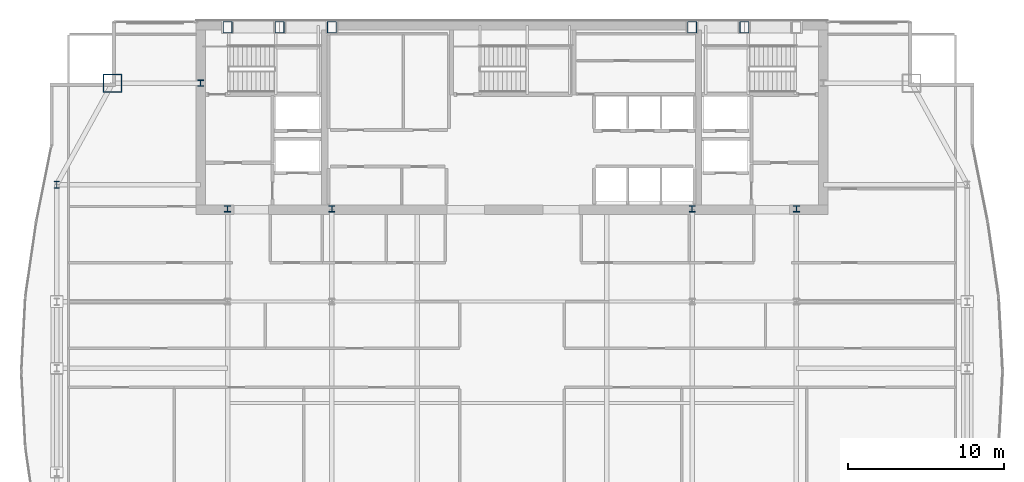
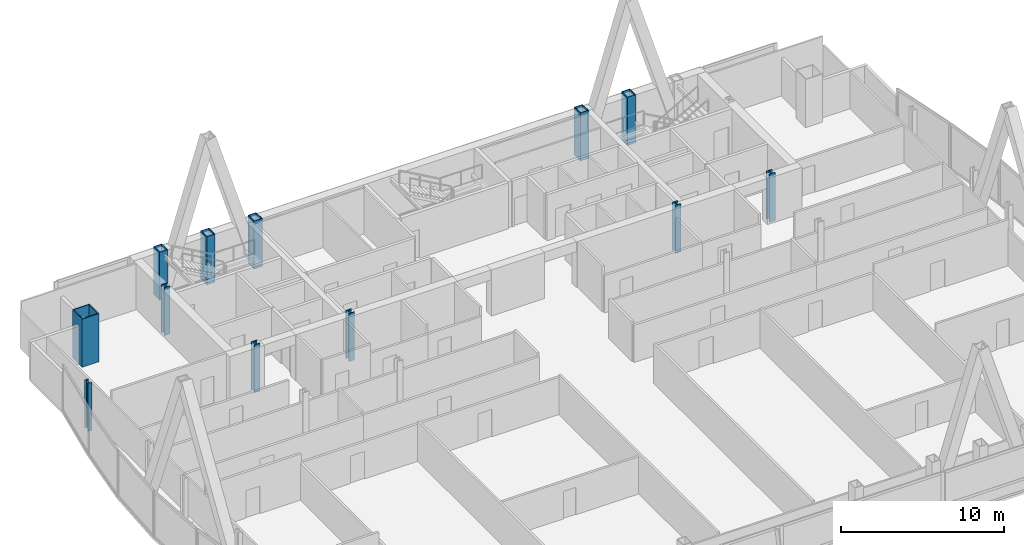
# One storey, part 3 of 32: 12 columns.
"""IFC4 building model written with IfcOpenShell, lengths in metres."""

from ifc_helpers import new_model, si_unit, direction, frame, origin, origin_2d, place, context, subcontext, project, spatial, hollow_rectangle, i_section, extrude, material, material_profile, profile_set, type_object, element, save


model = new_model("IFC4")

# Units and contexts
model_context = context("Model", 3, precision=1e-05, world=origin(), true_north=direction((0.0, 1.0)))
body_context = subcontext(model_context, "Body", "Model", "MODEL_VIEW")
ifc_project = project(units=[si_unit("LENGTHUNIT", "METRE"), si_unit("AREAUNIT", "SQUARE_METRE"), si_unit("VOLUMEUNIT", "CUBIC_METRE"), si_unit("PLANEANGLEUNIT", "RADIAN"), si_unit("MASSUNIT", "GRAM", prefix="KILO")], contexts=[model_context])

# Site, building, storey
site_placement = place(None, origin())
site = spatial("IfcSite", under=ifc_project, at=site_placement, CompositionType="ELEMENT")
building_placement = place(site_placement, origin())
building = spatial("IfcBuilding", under=site, at=building_placement, Name="Khoronbel Lancet Exchange", CompositionType="ELEMENT")
storey_placement = place(building_placement, frame((0.0, 0.0, 221.0)))
storey = spatial("IfcBuildingStorey", under=building, at=storey_placement, Name="L56", CompositionType="ELEMENT", Elevation=221.0)

# Columns
ifc_material_1 = material(Name="Steel S460", Category="steel")
ifc_material_profile_1 = material_profile(ifc_material_1, hollow_rectangle(XDim=0.60009765625, YDim=0.75, WallThickness=0.044921875, at=origin_2d()), Name="BOX 750x600x45")
ifc_profile_set_1 = profile_set([ifc_material_profile_1], Name="Steel S460")
column_type_1 = type_object("IfcColumnType", Name="COL-EC3", PredefinedType="COLUMN", material=ifc_profile_set_1)
for number, where, z_axis, x_axis, name in (
    (1, (18.22509765625, 53.280029296875, 0.0), (0.0, 0.0, 1.0), (1.0, 0.0, 0.0), "Structural column NC-W1 L56"),
    (2, (21.5625, 53.280029296875, 0.0), (0.0, 0.0, 1.0), (1.0, 0.0, 0.0), "Structural column NC-WM L56"),
    (3, (24.89990234375, 53.280029296875, 0.0), (0.0, 0.0, 1.0), (1.0, 0.0, 0.0), "Structural column NC-W2 L56"),
    (4, (48.0, 53.280029296875, 0.0), (0.0, 0.0, 1.0), (1.0, 0.0, 0.0), "Structural column NC-E1 L56"),
    (5, (51.33740234375, 53.280029296875, 0.0), (0.0, 0.0, 1.0), (1.0, 0.0, 0.0), "Structural column NC-EM L56"),
):
    element("IfcColumn", number, at=place(storey_placement, frame(where, z_axis=z_axis, x_axis=x_axis)), inside=storey, type_object=column_type_1, Name=name, PredefinedType="COLUMN", context=body_context, shape_type="SweptSolid", body=[
        extrude(hollow_rectangle(XDim=0.60009765625, YDim=0.75, WallThickness=0.044921875, at=origin_2d()), origin(), (0.0, 0.0, 1.0), 3.60009765625),
    ])
ifc_material_2 = material(Name="Steel S355", Category="steel")
ifc_material_profile_2 = material_profile(ifc_material_2, i_section(OverallWidth=0.406005859375, OverallDepth=0.416015625, WebThickness=0.02978515625, FlangeThickness=0.048095703125, at=origin_2d()), Name="HD 400x382")
ifc_profile_set_2 = profile_set([ifc_material_profile_2], Name="Steel S355")
column_type_2 = type_object("IfcColumnType", Name="COL-IC3", PredefinedType="COLUMN", material=ifc_profile_set_2)
for number, where, z_axis, x_axis, name in (
    (6, (16.5, 49.699951171875, 0.0), (0.0, 0.0, 1.0), (1.0, 0.0, 0.0), "Core-flank plumb transfer column CFW L56"),
    (7, (18.22509765625, 41.64990234375, 0.0), (0.0, 0.0, 1.0), (1.0, 0.0, 0.0), "Core-embedded steel column CTC1 L56"),
    (8, (24.89990234375, 41.64990234375, 0.0), (0.0, 0.0, 1.0), (1.0, 0.0, 0.0), "Core-embedded steel column CTC2 L56"),
    (9, (48.0, 41.64990234375, 0.0), (0.0, 0.0, 1.0), (1.0, 0.0, 0.0), "Core-embedded steel column CTC3 L56"),
    (10, (54.675048828125, 41.64990234375, 0.0), (0.0, 0.0, 1.0), (1.0, 0.0, 0.0), "Core-embedded steel column CTC4 L56"),
):
    element("IfcColumn", number, at=place(storey_placement, frame(where, z_axis=z_axis, x_axis=x_axis)), inside=storey, type_object=column_type_2, Name=name, PredefinedType="COLUMN", context=body_context, shape_type="SweptSolid", body=[
        extrude(i_section(OverallWidth=0.406005859375, OverallDepth=0.416015625, WebThickness=0.02978515625, FlangeThickness=0.048095703125, at=origin_2d()), origin(), (0.0, 0.0, 1.0), 3.60009765625),
    ])
ifc_material_profile_3 = material_profile(ifc_material_2, i_section(OverallWidth=0.300048828125, OverallDepth=0.449951171875, WebThickness=0.013916015625, FlangeThickness=0.02587890625, at=origin_2d()), Name="HEB 450")
ifc_profile_set_3 = profile_set([ifc_material_profile_3], Name="Steel S355")
column_type_3 = type_object("IfcColumnType", Name="COL-LC2", PredefinedType="COLUMN", material=ifc_profile_set_3)
column_1_placement = place(storey_placement, frame((7.27001953125, 43.199951171875, 0.0), z_axis=(0.0, 0.0, 1.0), x_axis=(1.0, 0.0, 0.0)))
element("IfcColumn", 11, at=column_1_placement, inside=storey, type_object=column_type_3, Name="Structural column WC-4 L56", PredefinedType="COLUMN", context=body_context, shape_type="SweptSolid", body=[
    extrude(i_section(OverallWidth=0.300048828125, OverallDepth=0.449951171875, WebThickness=0.013916015625, FlangeThickness=0.02587890625, at=origin_2d()), origin(), (0.0, 0.0, 1.0), 3.60009765625),
])
ifc_material_profile_4 = material_profile(ifc_material_1, hollow_rectangle(XDim=1.199951171875, YDim=1.199951171875, WallThickness=0.06005859375, at=origin_2d()), Name="BOX 1200x1200x60")
ifc_profile_set_4 = profile_set([ifc_material_profile_4], Name="Steel S460")
column_type_4 = type_object("IfcColumnType", Name="COL-MC5", PredefinedType="COLUMN", material=ifc_profile_set_4)
column_2_placement = place(storey_placement, frame((10.85009765625, 49.699951171875, 0.0), z_axis=(0.0, 0.0, 1.0), x_axis=(1.0, 0.0, 0.0)))
element("IfcColumn", 12, at=column_2_placement, inside=storey, type_object=column_type_4, Name="Structural column MC-NW L56", PredefinedType="COLUMN", context=body_context, shape_type="SweptSolid", body=[
    extrude(hollow_rectangle(XDim=1.199951171875, YDim=1.199951171875, WallThickness=0.06005859375, at=origin_2d()), origin(), (0.0, 0.0, 1.0), 3.60009765625),
])

save(model, "model.ifc")
